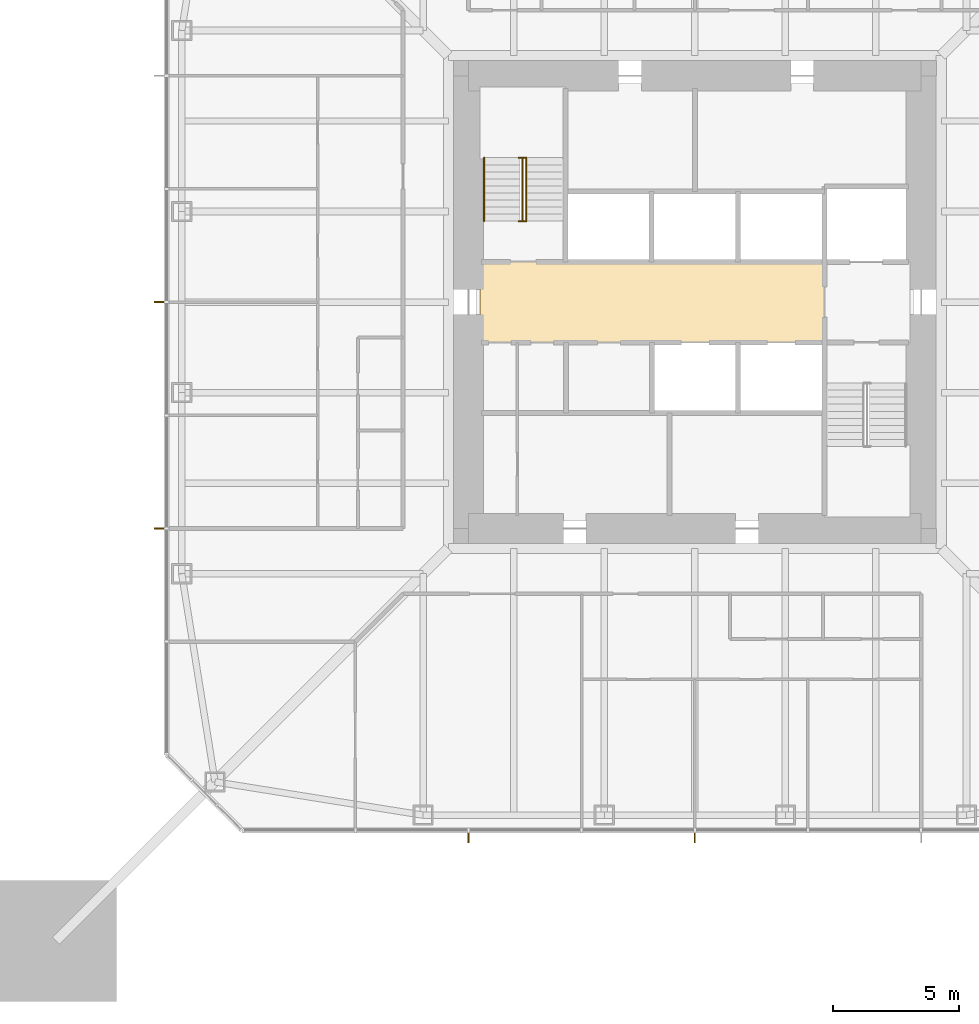
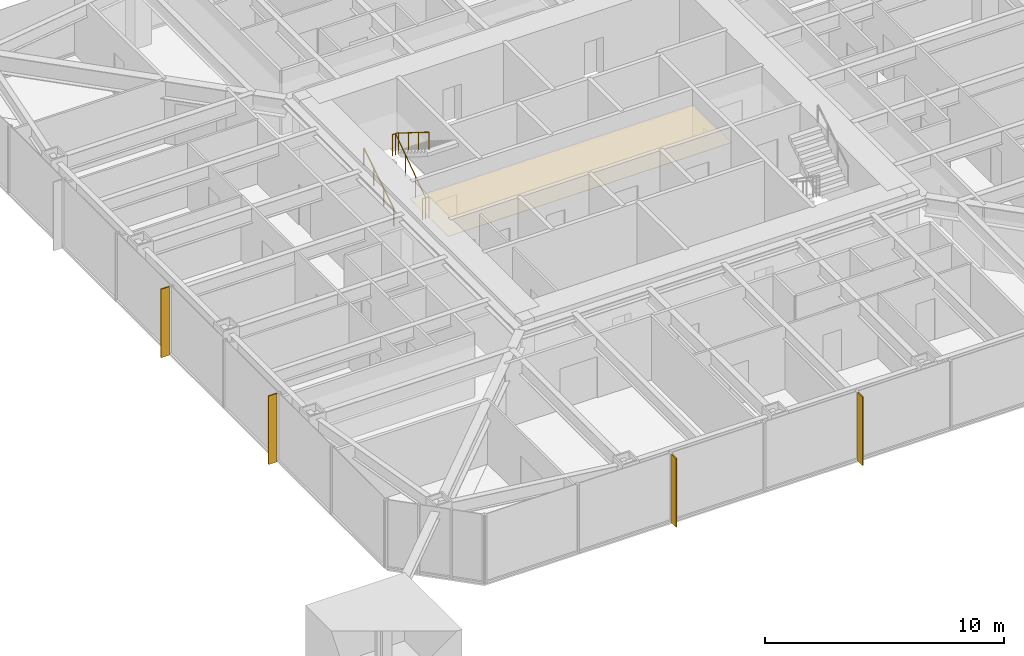
# One storey, part 21 of 25: 4 shading devices, 3 railings, 1 covering.
"""IFC4 building model written with IfcOpenShell, lengths in metres."""

from ifc_helpers import new_model, si_unit, direction, frame, origin, origin_2d, place, context, subcontext, project, spatial, polyline, rectangle, circle, outline, extrude, material, layer, layer_set, constituent, constituent_set, type_object, element, save


model = new_model("IFC4")

# Units and contexts
model_context = context("Model", 3, precision=1e-05, world=origin(), true_north=direction((0.0, 1.0)))
body_context = subcontext(model_context, "Body", "Model", "MODEL_VIEW")
ifc_project = project(units=[si_unit("LENGTHUNIT", "METRE"), si_unit("AREAUNIT", "SQUARE_METRE"), si_unit("VOLUMEUNIT", "CUBIC_METRE"), si_unit("PLANEANGLEUNIT", "RADIAN"), si_unit("MASSUNIT", "GRAM", prefix="KILO")], contexts=[model_context])

# Site, building, storey
site_placement = place(None, origin())
site = spatial("IfcSite", under=ifc_project, at=site_placement, CompositionType="ELEMENT")
building_placement = place(site_placement, origin())
building = spatial("IfcBuilding", under=site, at=building_placement, Name="Iwan Alto Co-Living Towers", CompositionType="ELEMENT")
storey_placement = place(building_placement, frame((0.0, 0.0, 105.0)))
storey = spatial("IfcBuildingStorey", under=building, at=storey_placement, Name="L28", CompositionType="ELEMENT", Elevation=105.0)

# Covering
ifc_material_1 = material(Name="Mineral fibre acoustic tiles on steel grid", Category="steel")
ifc_layer_1 = layer(ifc_material_1, 0.02001953125)
ifc_layer_set_1 = layer_set([ifc_layer_1], Name="ACOUSTIC TILE CEILING 20")
covering_type = type_object("IfcCoveringType", Name="ACOUSTIC TILE CEILING 20", PredefinedType="CEILING", material=ifc_layer_set_1)
covering_placement = place(storey_placement, frame((0.0, 0.0, 2.60009765625)))
element("IfcCovering", 1, at=covering_placement, inside=storey, type_object=covering_type, Name="Ceiling Lift lobby L28", PredefinedType="CEILING", context=body_context, shape_type="SweptSolid", body=[
    extrude(outline(polyline([(-8.550048828125, -1.60009765625), (-8.550048828125, 1.60009765625), (5.14990234375, 1.60009765625), (5.14990234375, -1.60009765625), (-8.550048828125, -1.60009765625)])), origin(), (0.0, 0.0, 1.0), 0.02001953125),
])

# Shading devices
ifc_material_2 = material(Name="Aluminium 6063-T6 bronze anodised", Category="aluminium")
ifc_layer_2 = layer(ifc_material_2, 0.050048828125)
ifc_layer_set_2 = layer_set([ifc_layer_2], Name="BRONZE FIN 50X400")
shading_device_type = type_object("IfcShadingDeviceType", Name="BRONZE FIN 50X400", PredefinedType="USERDEFINED", material=ifc_layer_set_2)
for number, where, z_axis, x_axis, name in (
    (2, (-9.0, -21.300048828125, 0.0), (0.0, 0.0, 1.0), (1.0, 0.0, 0.0), "Bronze fin L28"),
    (3, (0.0, -21.300048828125, 0.0), (0.0, 0.0, 1.0), (1.0, 0.0, 0.0), "Bronze fin L28"),
    (4, (-21.300048828125, 0.0, 0.0), (0.0, 0.0, 1.0), (0.0, -1.0, 0.0), "Bronze fin L28"),
    (5, (-21.300048828125, -9.0, 0.0), (0.0, 0.0, 1.0), (0.0, -1.0, 0.0), "Bronze fin L28"),
):
    element("IfcShadingDevice", number, at=place(storey_placement, frame(where, z_axis=z_axis, x_axis=x_axis)), inside=storey, type_object=shading_device_type, Name=name, ObjectType="LOUVER", PredefinedType="USERDEFINED", context=body_context, shape_type="SweptSolid", body=[
        extrude(rectangle(XDim=0.050048828125, YDim=0.39990234375, at=origin_2d()), origin(), (0.0, 0.0, 1.0), 3.5),
    ])

# Railings
ifc_material_3 = material(Name="Steel ASTM A500 Gr C", Category="steel")
ifc_constituent_1 = constituent(ifc_material_3, Name="Rails and posts", Category="Framing")
ifc_material_4 = material(Name="Steel ASTM A36", Category="steel")
ifc_constituent_2 = constituent(ifc_material_4, Name="Bar infill", Category="Infill")
ifc_constituent_set = constituent_set(constituents=[ifc_constituent_1, ifc_constituent_2], Name="STAIR GUARD 1100")
railing_type_1 = type_object("IfcRailingType", Name="STAIR GUARD 1100", PredefinedType="GUARDRAIL", material=ifc_constituent_set)
railing_1_placement = place(storey_placement, frame((-6.85009765625, 3.219970703125, 0.0)))
element("IfcRailing", 6, at=railing_1_placement, inside=storey, type_object=railing_type_1, Name="Stair T1-S1 well guard L28", PredefinedType="GUARDRAIL", context=body_context, shape_type="SweptSolid", body=[
    extrude(circle(Radius=0.02392578125, at=origin_2d()), frame((0.0, 0.0, 1.076171875), z_axis=(0.0, 0.821372036852, 0.570392826987), x_axis=(-1.0, 0.0, 0.0)), (0.0, 0.0, 1.0), 3.068115234375),
    extrude(circle(Radius=0.02392578125, at=origin_2d()), frame((-0.14990234375, 0.0, 1.076171875), z_axis=(1.0, 0.0, 0.0), x_axis=(0.0, 1.0, 0.0)), (0.0, 0.0, 1.0), 0.300048828125),
    extrude(circle(Radius=0.02392578125, at=origin_2d()), frame((-0.14990234375, 2.52001953125, 2.826171875), z_axis=(1.0, 0.0, 0.0), x_axis=(0.0, 1.0, 0.0)), (0.0, 0.0, 1.0), 0.300048828125),
    extrude(circle(Radius=0.02099609375, at=origin_2d()), origin(), (0.0, 0.0, 1.0), 1.052001953125),
    extrude(circle(Radius=0.02099609375, at=origin_2d()), frame((0.0, 0.840087890625, 0.583251953125)), (0.0, 0.0, 1.0), 1.052001953125),
    extrude(circle(Radius=0.02099609375, at=origin_2d()), frame((0.0, 1.679931640625, 1.166748046875)), (0.0, 0.0, 1.0), 1.052001953125),
    extrude(circle(Radius=0.02099609375, at=origin_2d()), frame((0.0, 2.52001953125, 1.75)), (0.0, 0.0, 1.0), 1.052001953125),
    extrude(circle(Radius=0.02099609375, at=origin_2d()), frame((-0.14990234375, 0.0, 0.0)), (0.0, 0.0, 1.0), 1.052001953125),
    extrude(circle(Radius=0.02099609375, at=origin_2d()), frame((0.150146484375, 0.0, 0.0)), (0.0, 0.0, 1.0), 1.052001953125),
    extrude(circle(Radius=0.02099609375, at=origin_2d()), frame((-0.14990234375, 2.52001953125, 1.75)), (0.0, 0.0, 1.0), 1.052001953125),
    extrude(circle(Radius=0.02099609375, at=origin_2d()), frame((0.150146484375, 2.52001953125, 1.75)), (0.0, 0.0, 1.0), 1.052001953125),
])
ifc_material_5 = material(Name="Steel ASTM A500 Gr C", Category="steel")
railing_type_2 = type_object("IfcRailingType", Name="STAIR HANDRAIL 900", PredefinedType="HANDRAIL", material=ifc_material_5)
railing_2_placement = place(storey_placement, frame((-8.3798828125, 3.219970703125, 0.175048828125)))
element("IfcRailing", 7, at=railing_2_placement, inside=storey, type_object=railing_type_2, Name="Stair T1-S1 handrail 1 L28", PredefinedType="HANDRAIL", context=body_context, shape_type="SweptSolid", body=[
    extrude(circle(Radius=0.02392578125, at=origin_2d()), frame((0.0, 0.0, 0.8759765625), z_axis=(0.0, 0.848007534815, 0.529984170421), x_axis=(-1.0, 0.0, 0.0)), (0.0, 0.0, 1.0), 2.9716796875),
    extrude(circle(Radius=0.02099609375, at=origin_2d()), origin(), (0.0, 0.0, 1.0), 0.851806640625),
    extrude(circle(Radius=0.02099609375, at=origin_2d()), frame((0.0, 0.840087890625, 0.52490234375)), (0.0, 0.0, 1.0), 0.851806640625),
    extrude(circle(Radius=0.02099609375, at=origin_2d()), frame((0.0, 1.679931640625, 1.050048828125)), (0.0, 0.0, 1.0), 0.851806640625),
    extrude(circle(Radius=0.02099609375, at=origin_2d()), frame((0.0, 2.52001953125, 1.574951171875)), (0.0, 0.0, 1.0), 0.851806640625),
])
railing_3_placement = place(storey_placement, frame((-6.699951171875, 5.739990234375, 1.925048828125)))
element("IfcRailing", 8, at=railing_3_placement, inside=storey, type_object=railing_type_2, Name="Stair T1-S1 handrail 2 L28", PredefinedType="HANDRAIL", context=body_context, shape_type="SweptSolid", body=[
    extrude(circle(Radius=0.02392578125, at=origin_2d()), frame((0.0, 0.0, 0.8759765625), z_axis=(0.0, -0.848007534815, 0.529984170421), x_axis=(1.0, 0.0, 0.0)), (0.0, 0.0, 1.0), 2.9716796875),
    extrude(circle(Radius=0.02099609375, at=origin_2d()), origin(), (0.0, 0.0, 1.0), 0.851806640625),
    extrude(circle(Radius=0.02099609375, at=origin_2d()), frame((0.0, -0.840087890625, 0.52490234375)), (0.0, 0.0, 1.0), 0.851806640625),
    extrude(circle(Radius=0.02099609375, at=origin_2d()), frame((0.0, -1.679931640625, 1.050048828125)), (0.0, 0.0, 1.0), 0.851806640625),
    extrude(circle(Radius=0.02099609375, at=origin_2d()), frame((0.0, -2.52001953125, 1.574951171875)), (0.0, 0.0, 1.0), 0.851806640625),
])

save(model, "model.ifc")
